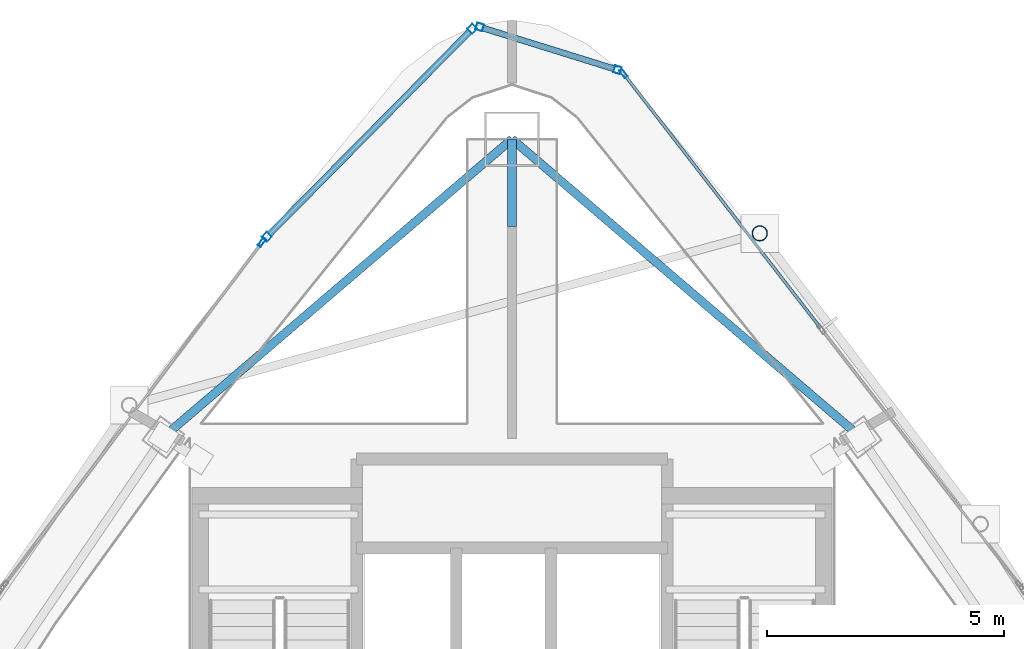
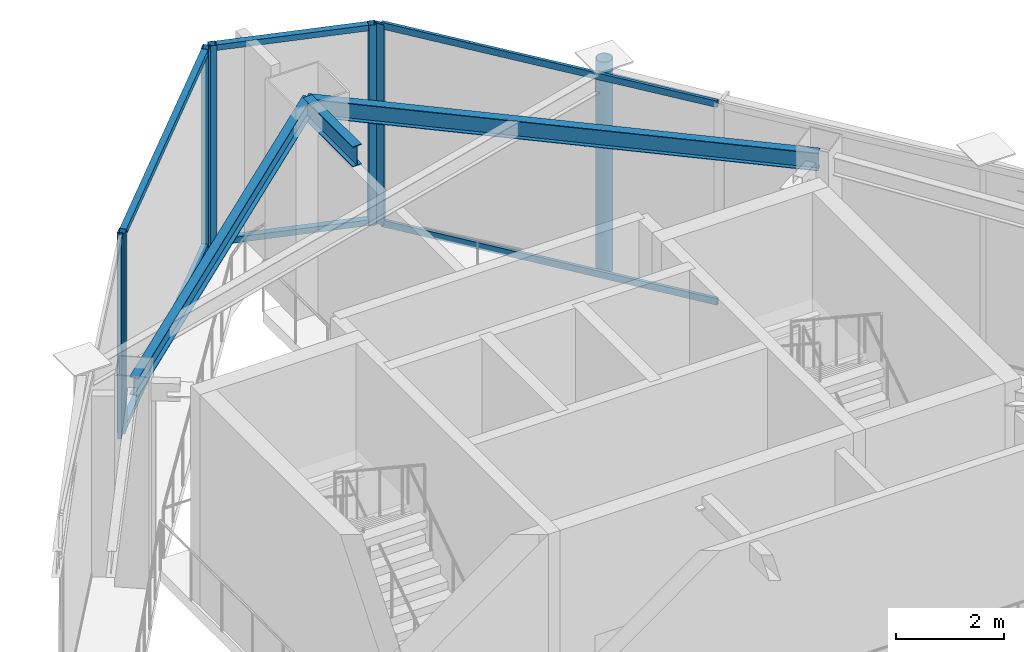
# One storey, part 15 of 20: 13 members, 3 beams, 4 elements without a shape of their own.
"""IFC4 building model written with IfcOpenShell, lengths in metres."""

from ifc_helpers import new_model, si_unit, direction, frame, origin, origin_2d, place, context, subcontext, project, spatial, hollow_rectangle, hollow_circle, i_section, extrude, material, layer, layer_set, material_profile, profile_set, type_object, element, aggregate, save


model = new_model("IFC4")

# Units and contexts
model_context = context("Model", 3, precision=1e-05, world=origin(), true_north=direction((0.0, 1.0)))
body_context = subcontext(model_context, "Body", "Model", "MODEL_VIEW")
ifc_project = project(units=[si_unit("LENGTHUNIT", "METRE"), si_unit("AREAUNIT", "SQUARE_METRE"), si_unit("VOLUMEUNIT", "CUBIC_METRE"), si_unit("PLANEANGLEUNIT", "RADIAN"), si_unit("MASSUNIT", "GRAM", prefix="KILO")], contexts=[model_context])

# Site, building, storey
site_placement = place(None, origin())
site = spatial("IfcSite", under=ifc_project, at=site_placement, CompositionType="ELEMENT")
building_placement = place(site_placement, origin())
building = spatial("IfcBuilding", under=site, at=building_placement, Name="Orvanel Arch Residences", CompositionType="ELEMENT")
storey_placement = place(building_placement, frame((0.0, 0.0, 300.5)))
storey = spatial("IfcBuildingStorey", under=building, at=storey_placement, Name="L84", CompositionType="ELEMENT", Elevation=300.5)

# Beam
ifc_material_1 = material(Name="Structural steel AS/NZS 3679.1 Grade 300 (300 MPa)", Category="steel")
ifc_material_profile_1 = material_profile(ifc_material_1, i_section(OverallWidth=0.19091796875, OverallDepth=0.4599609375, WebThickness=0.010009765625, FlangeThickness=0.01611328125, at=origin_2d()), Name="460UB82.1")
ifc_profile_set_1 = profile_set([ifc_material_profile_1], Name="Structural steel AS/NZS 3679.1 Grade 300 (300 MPa)")
beam_type_1 = type_object("IfcBeamType", Name="BG-460UB", PredefinedType="BEAM", material=ifc_profile_set_1)
beam_placement = place(storey_placement, frame((33.0, 39.550048828125, 4.320068359375), z_axis=(0.0, 1.0, 0.0), x_axis=(-1.0, 0.0, 0.0)))
element("IfcBeam", 1, at=beam_placement, inside=storey, type_object=beam_type_1, Name="L84 North Radial Girder", PredefinedType="BEAM", context=body_context, shape_type="SweptSolid", body=[
    extrude(i_section(OverallWidth=0.19091796875, OverallDepth=0.4599609375, WebThickness=0.010009765625, FlangeThickness=0.01611328125, at=origin_2d()), origin(), (0.0, 0.0, 1.0), 1.847900390625),
])

# Curtain wall, members
ifc_material_2 = material(Name="Bronze-anodised aluminium AA6063-T6", Category="aluminium")
ifc_layer = layer(ifc_material_2, 0.2099609375)
ifc_layer_set = layer_set([ifc_layer], Name="Bronze-anodised aluminium AA6063-T6")
curtain_wall_type = type_object("IfcCurtainWallType", Name="CW7-TOP-SYS", PredefinedType="NOTDEFINED", material=ifc_layer_set)
curtain_wall_1_placement = place(storey_placement, origin())
curtain_wall_1 = element("IfcCurtainWall", 2, at=curtain_wall_1_placement, inside=storey, type_object=curtain_wall_type, Name="L84 CW7-TOP-SYS Unitised Curtain Wall", PredefinedType="NOTDEFINED")
ifc_material_profile_2 = material_profile(ifc_material_2, hollow_rectangle(XDim=0.14990234375, YDim=0.14990234375, WallThickness=0.0048828125, at=origin_2d()), Name="ALU150x150x5")
ifc_profile_set_2 = profile_set([ifc_material_profile_2], Name="Bronze-anodised aluminium AA6063-T6")
member_type_1 = type_object("IfcMemberType", Name="MUL-150x150", PredefinedType="MULLION", material=ifc_profile_set_2)
member_1_placement = place(storey_placement, frame((35.224365234375, 42.856201171875, 0.0), z_axis=(0.0, 0.0, 1.0), x_axis=(-0.297187104186, -0.954819263057, 0.0)))
member_1 = element("IfcMember", 3, at=member_1_placement, type_object=member_type_1, Name="CW-S7 mullion 1", PredefinedType="MULLION", context=body_context, shape_type="SweptSolid", body=[
    extrude(hollow_rectangle(XDim=0.14990234375, YDim=0.14990234375, WallThickness=0.0048828125, at=origin_2d()), origin(), (0.0, 0.0, 1.0), 4.550048828125),
])
member_2_placement = place(storey_placement, frame((32.318603515625, 43.7607421875, 0.0), z_axis=(0.0, 0.0, 1.0), x_axis=(-0.297187104186, -0.954819263057, 0.0)))
member_2 = element("IfcMember", 4, at=member_2_placement, type_object=member_type_1, Name="CW-S7 mullion 2", PredefinedType="MULLION", context=body_context, shape_type="SweptSolid", body=[
    extrude(hollow_rectangle(XDim=0.14990234375, YDim=0.14990234375, WallThickness=0.0048828125, at=origin_2d()), origin(), (0.0, 0.0, 1.0), 4.550048828125),
])

curtain_wall_2_placement = place(storey_placement, origin())
curtain_wall_2 = element("IfcCurtainWall", 5, at=curtain_wall_2_placement, inside=storey, type_object=curtain_wall_type, Name="L84 CW7-TOP-SYS Unitised Curtain Wall", PredefinedType="NOTDEFINED")
member_3_placement = place(storey_placement, frame((32.161376953125, 43.7216796875, 0.0), z_axis=(0.0, 0.0, 1.0), x_axis=(0.71152705503, -0.702658700907, 0.0)))
member_3 = element("IfcMember", 6, at=member_3_placement, type_object=member_type_1, Name="CW-S7 mullion 1", PredefinedType="MULLION", context=body_context, shape_type="SweptSolid", body=[
    extrude(hollow_rectangle(XDim=0.14990234375, YDim=0.14990234375, WallThickness=0.0048828125, at=origin_2d()), origin(), (0.0, 0.0, 1.0), 4.550048828125),
])
member_4_placement = place(storey_placement, frame((27.82958984375, 39.33544921875, 0.0), z_axis=(0.0, 0.0, 1.0), x_axis=(0.71152705503, -0.702658700907, 0.0)))
member_4 = element("IfcMember", 7, at=member_4_placement, type_object=member_type_1, Name="CW-S7 mullion 2", PredefinedType="MULLION", context=body_context, shape_type="SweptSolid", body=[
    extrude(hollow_rectangle(XDim=0.14990234375, YDim=0.14990234375, WallThickness=0.0048828125, at=origin_2d()), origin(), (0.0, 0.0, 1.0), 4.550048828125),
])

# Curtain wall, member
curtain_wall_3_placement = place(storey_placement, origin())
curtain_wall_3 = element("IfcCurtainWall", 8, at=curtain_wall_3_placement, inside=storey, type_object=curtain_wall_type, Name="L84 CW7-TOP-SYS Unitised Curtain Wall", PredefinedType="NOTDEFINED")
ifc_material_profile_3 = material_profile(ifc_material_2, hollow_rectangle(XDim=0.074951171875, YDim=0.199951171875, WallThickness=0.0048828125, at=origin_2d()), Name="ALU200x75x5")
ifc_profile_set_3 = profile_set([ifc_material_profile_3], Name="Bronze-anodised aluminium AA6063-T6")
member_type_2 = type_object("IfcMemberType", Name="MUL-200x75", PredefinedType="MULLION", material=ifc_profile_set_3)
member_5_placement = place(storey_placement, frame((27.728515625, 39.221923828125, 0.0), z_axis=(0.0, 0.0, 1.0), x_axis=(0.799341985759, -0.600876351509, 0.0)))
member_5 = element("IfcMember", 9, at=member_5_placement, type_object=member_type_2, Name="CW-S7 mullion 1", PredefinedType="MULLION", context=body_context, shape_type="SweptSolid", body=[
    extrude(hollow_rectangle(XDim=0.074951171875, YDim=0.199951171875, WallThickness=0.0048828125, at=origin_2d()), origin(), (0.0, 0.0, 1.0), 4.550048828125),
])
aggregate(curtain_wall_3, [member_5])

curtain_wall_4_placement = place(storey_placement, origin())
curtain_wall_4 = element("IfcCurtainWall", 10, at=curtain_wall_4_placement, inside=storey, type_object=curtain_wall_type, Name="L84 CW7-TOP-SYS Unitised Curtain Wall", PredefinedType="NOTDEFINED")
member_6_placement = place(storey_placement, frame((35.349853515625, 42.782470703125, 0.0), z_axis=(0.0, 0.0, 1.0), x_axis=(-0.790656592833, -0.612259873102, 0.0)))
member_6 = element("IfcMember", 11, at=member_6_placement, type_object=member_type_2, Name="CW-S7 mullion 3", PredefinedType="MULLION", context=body_context, shape_type="SweptSolid", body=[
    extrude(hollow_rectangle(XDim=0.074951171875, YDim=0.199951171875, WallThickness=0.0048828125, at=origin_2d()), origin(), (0.0, 0.0, 1.0), 4.550048828125),
])

# Beams
ifc_material_profile_4 = material_profile(ifc_material_1, i_section(OverallWidth=0.177978515625, OverallDepth=0.406005859375, WebThickness=0.0078125, FlangeThickness=0.0126953125, at=origin_2d()), Name="410UB59.7")
ifc_profile_set_4 = profile_set([ifc_material_profile_4], Name="Structural steel AS/NZS 3679.1 Grade 300 (300 MPa)")
beam_type_2 = type_object("IfcBeamType", Name="OB-410UB", PredefinedType="SPANDREL", material=ifc_profile_set_4)
for number, where, z_axis, x_axis, name in (
    (12, (40.35205078125, 35.113037109375, 4.346923828125), (-0.760116518398, 0.649786794617, 0.0), (-0.649786794617, -0.760116518398, 0.0), "L84 Perimeter Spandrel Beam 09"),
    (13, (33.0, 41.39794921875, 4.346923828125), (-0.760116518398, -0.649786794617, 0.0), (0.649786794617, -0.760116518398, 0.0), "L84 Perimeter Spandrel Beam 10"),
):
    element("IfcBeam", number, at=place(storey_placement, frame(where, z_axis=z_axis, x_axis=x_axis)), inside=storey, type_object=beam_type_2, Name=name, PredefinedType="SPANDREL", context=body_context, shape_type="SweptSolid", body=[
        extrude(i_section(OverallWidth=0.177978515625, OverallDepth=0.406005859375, WebThickness=0.0078125, FlangeThickness=0.0126953125, at=origin_2d()), origin(), (0.0, 0.0, 1.0), 9.67236328125),
    ])

# Member
ifc_material_3 = material(Name="Structural steel AS/NZS 1163 C350L0 (Grade 350)", Category="steel")
ifc_material_profile_5 = material_profile(ifc_material_3, hollow_circle(Radius=0.162109375, WallThickness=0.0126953125, at=origin_2d()), Name="CHS324x12.7")
ifc_profile_set_5 = profile_set([ifc_material_profile_5], Name="Structural steel AS/NZS 1163 C350L0 (Grade 350)")
member_type_3 = type_object("IfcMemberType", Name="ST-324CHS-EXT", PredefinedType="STRUT", material=ifc_profile_set_5)
member_7_placement = place(storey_placement, frame((38.22412109375, 39.409912109375, 0.0), z_axis=(0.0, 0.0, 1.0), x_axis=(1.0, 0.0, 0.0)))
element("IfcMember", 14, at=member_7_placement, inside=storey, type_object=member_type_3, Name="L84 Outer Perimeter Frame Post 12", PredefinedType="STRUT", context=body_context, shape_type="SweptSolid", body=[
    extrude(hollow_circle(Radius=0.162109375, WallThickness=0.0126953125, at=origin_2d()), origin(), (0.0, 0.0, 1.0), 4.800048828125),
])

ifc_material_profile_6 = material_profile(ifc_material_2, hollow_rectangle(XDim=0.1298828125, YDim=0.1298828125, WallThickness=0.00439453125, at=origin_2d()), Name="ALU130x130x4.5")
ifc_profile_set_6 = profile_set([ifc_material_profile_6], Name="Bronze-anodised aluminium AA6063-T6")
member_type_4 = type_object("IfcMemberType", Name="TRN-130x130", PredefinedType="USERDEFINED", material=ifc_profile_set_6)
member_8_placement = place(storey_placement, frame((35.15283203125, 42.878662109375, 0.06494140625), z_axis=(-0.954821665977, 0.297179383843, 0.0), x_axis=(-0.297179383843, -0.954821665977, 0.0)))
member_8 = element("IfcMember", 15, at=member_8_placement, type_object=member_type_4, Name="CW-S7 transom 1.1", ObjectType="TRANSOM", PredefinedType="USERDEFINED", context=body_context, shape_type="SweptSolid", body=[
    extrude(hollow_rectangle(XDim=0.1298828125, YDim=0.1298828125, WallThickness=0.00439453125, at=origin_2d()), origin(), (0.0, 0.0, 1.0), 2.893310546875),
])

member_9_placement = place(storey_placement, frame((35.15283203125, 42.878662109375, 4.485107421875), z_axis=(-0.954821665977, 0.297179383843, 0.0), x_axis=(-0.297179383843, -0.954821665977, 0.0)))
member_9 = element("IfcMember", 16, at=member_9_placement, type_object=member_type_4, Name="CW-S7 transom 1.2", ObjectType="TRANSOM", PredefinedType="USERDEFINED", context=body_context, shape_type="SweptSolid", body=[
    extrude(hollow_rectangle(XDim=0.1298828125, YDim=0.1298828125, WallThickness=0.00439453125, at=origin_2d()), origin(), (0.0, 0.0, 1.0), 2.893310546875),
])

aggregate(curtain_wall_1, [member_1, member_2, member_8, member_9])

member_10_placement = place(storey_placement, frame((32.108642578125, 43.668212890625, 0.06494140625), z_axis=(-0.702668534455, -0.711517343912, 0.0), x_axis=(0.711517343912, -0.702668534455, 0.0)))
member_10 = element("IfcMember", 17, at=member_10_placement, type_object=member_type_4, Name="CW-S7 transom 1.1", ObjectType="TRANSOM", PredefinedType="USERDEFINED", context=body_context, shape_type="SweptSolid", body=[
    extrude(hollow_rectangle(XDim=0.1298828125, YDim=0.1298828125, WallThickness=0.00439453125, at=origin_2d()), origin(), (0.0, 0.0, 1.0), 6.0146484375),
])

member_11_placement = place(storey_placement, frame((32.108642578125, 43.668212890625, 4.485107421875), z_axis=(-0.702668534455, -0.711517343912, 0.0), x_axis=(0.711517343912, -0.702668534455, 0.0)))
member_11 = element("IfcMember", 18, at=member_11_placement, type_object=member_type_4, Name="CW-S7 transom 1.2", ObjectType="TRANSOM", PredefinedType="USERDEFINED", context=body_context, shape_type="SweptSolid", body=[
    extrude(hollow_rectangle(XDim=0.1298828125, YDim=0.1298828125, WallThickness=0.00439453125, at=origin_2d()), origin(), (0.0, 0.0, 1.0), 6.0146484375),
])

aggregate(curtain_wall_2, [member_3, member_4, member_10, member_11])

ifc_material_profile_7 = material_profile(ifc_material_2, hollow_rectangle(XDim=0.06494140625, YDim=0.14990234375, WallThickness=0.00390625, at=origin_2d()), Name="ALU150x65x4")
ifc_profile_set_7 = profile_set([ifc_material_profile_7], Name="Bronze-anodised aluminium AA6063-T6")
member_type_5 = type_object("IfcMemberType", Name="TRN-150x65", PredefinedType="USERDEFINED", material=ifc_profile_set_7)
member_12_placement = place(storey_placement, frame((39.506591796875, 37.41455078125, 0.032470703125), z_axis=(-0.61226945959, 0.790649169261, 0.0), x_axis=(-0.790649169261, -0.61226945959, 0.0)))
member_12 = element("IfcMember", 19, at=member_12_placement, type_object=member_type_5, Name="CW-S7 transom 2.1", ObjectType="TRANSOM", PredefinedType="USERDEFINED", context=body_context, shape_type="SweptSolid", body=[
    extrude(hollow_rectangle(XDim=0.06494140625, YDim=0.14990234375, WallThickness=0.00390625, at=origin_2d()), origin(), (0.0, 0.0, 1.0), 6.75146484375),
])

member_13_placement = place(storey_placement, frame((39.506591796875, 37.41455078125, 4.517578125), z_axis=(-0.61226945959, 0.790649169261, 0.0), x_axis=(-0.790649169261, -0.61226945959, 0.0)))
member_13 = element("IfcMember", 20, at=member_13_placement, type_object=member_type_5, Name="CW-S7 transom 2.2", ObjectType="TRANSOM", PredefinedType="USERDEFINED", context=body_context, shape_type="SweptSolid", body=[
    extrude(hollow_rectangle(XDim=0.06494140625, YDim=0.14990234375, WallThickness=0.00390625, at=origin_2d()), origin(), (0.0, 0.0, 1.0), 6.75146484375),
])

aggregate(curtain_wall_4, [member_6, member_12, member_13])

save(model, "model.ifc")
